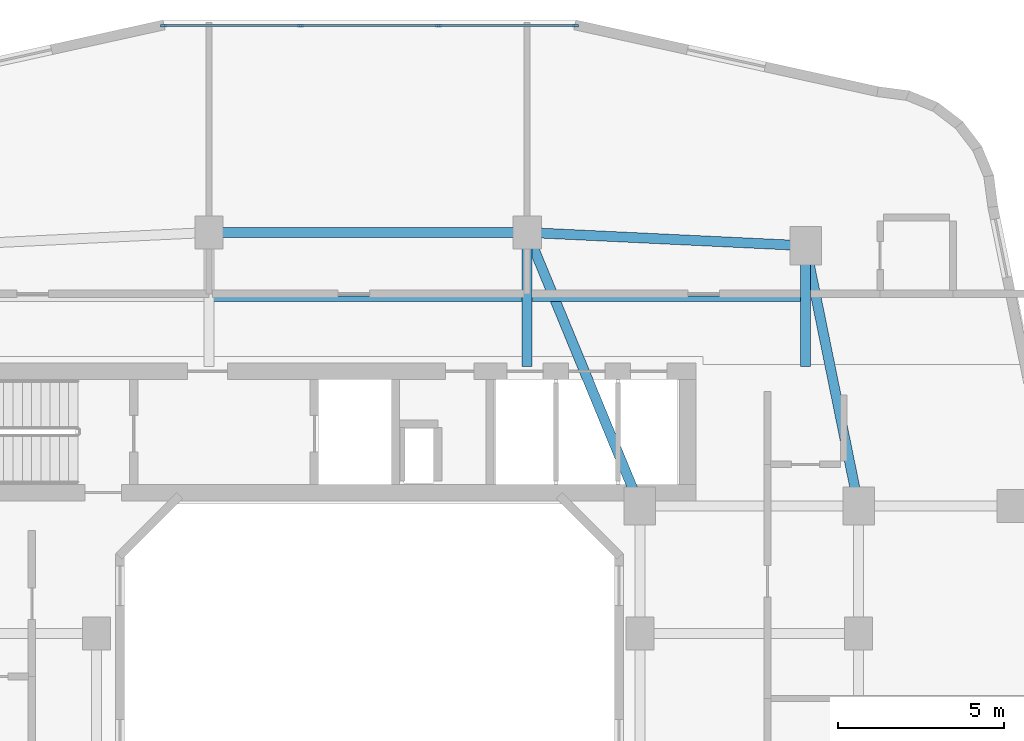
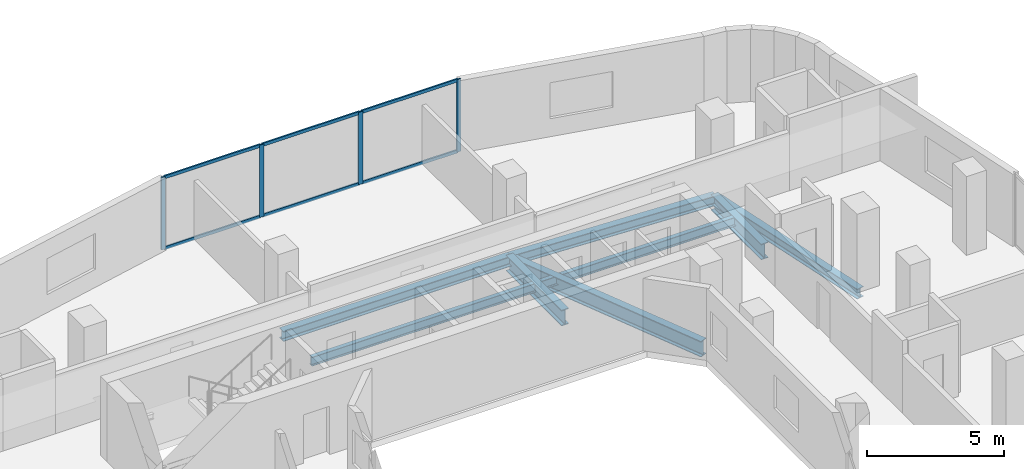
# One storey, part 7 of 25: 10 members, 8 beams, 1 element without a shape of its own.
"""IFC4 building model written with IfcOpenShell, lengths in metres."""

import ifcopenshell
import ifcopenshell.guid

model = None  # the IFC model being written
_history = None  # IfcOwnerHistory: only IFC2X3 demands one
_inside = {}  # id of a spatial element -> (the spatial element, [elements in it])
_under = {}  # id of a project, library or spatial element -> (it, [spatial elements below it])
_declared = {}  # id of a project -> (the project, [libraries it declares])
_typed = {}  # id of a type object -> (the type object, [elements of that type])
_made_of = {}  # id of a material, layer set ... -> (it, [elements and type objects made of it])


def new_model(schema):
    """Start an empty IFC model of exactly this schema.

    Asked for "IFC4X3", IfcOpenShell would pick the latest addendum, in which some entities
    have other attributes; the version numbers below select the first issue.
    IFC2X3 requires an IfcOwnerHistory on every rooted entity: one is made here for all.
    """
    global model, _history
    if schema == "IFC4X3":
        model = ifcopenshell.file(schema_version=(4, 3, 0, 0))
    else:
        model = ifcopenshell.file(schema=schema)
    _inside.clear()
    _under.clear()
    _declared.clear()
    _typed.clear()
    _made_of.clear()
    _history = None
    if model.schema == "IFC2X3":
        org = make("IfcOrganization", Name="unknown")
        user = make(
            "IfcPersonAndOrganization",
            ThePerson=make("IfcPerson", FamilyName="unknown"),
            TheOrganization=org,
        )
        app = make(
            "IfcApplication",
            ApplicationDeveloper=org,
            Version="unknown",
            ApplicationFullName="unknown",
            ApplicationIdentifier="unknown",
        )
        _history = make(
            "IfcOwnerHistory",
            OwningUser=user,
            OwningApplication=app,
            ChangeAction="ADDED",
            CreationDate=0,
        )
    return model


def make(cls, **values):
    """One entity of the class cls with the attributes given. An attribute that is None is left unset."""
    return model.create_entity(
        cls, **{name: value for name, value in values.items() if value is not None}
    )


def rooted(cls, **values):
    """An entity with a GlobalId (a new one), such as an element, a storey or a relation."""
    return make(cls, GlobalId=ifcopenshell.guid.new(), OwnerHistory=_history, **values)


def si_unit(unit_type, name, prefix=None):
    """IfcSIUnit, for example si_unit("LENGTHUNIT", "METRE", prefix="MILLI")."""
    return make("IfcSIUnit", UnitType=unit_type, Prefix=prefix, Name=name)


def derived_unit(unit_type, elements):
    """IfcDerivedUnit: a product of units, each with its exponent."""
    return make(
        "IfcDerivedUnit",
        Elements=[
            make("IfcDerivedUnitElement", Unit=unit, Exponent=power)
            for unit, power in elements
        ],
        UnitType=unit_type,
    )


def assignment(units):
    """IfcUnitAssignment: the units of a project."""
    return None if units is None else make("IfcUnitAssignment", Units=units)


def point(xyz):
    """IfcCartesianPoint."""
    return None if xyz is None else make("IfcCartesianPoint", Coordinates=xyz)


def direction(xyz):
    """IfcDirection."""
    return None if xyz is None else make("IfcDirection", DirectionRatios=xyz)


def frame(location, z_axis=None, x_axis=None):
    """IfcAxis2Placement3D, a coordinate frame: its origin and axes. An axis left out is left unset."""
    return make(
        "IfcAxis2Placement3D",
        Location=point(location),
        Axis=direction(z_axis),
        RefDirection=direction(x_axis),
    )


def frame_2d(location, x_axis=None):
    """IfcAxis2Placement2D, a coordinate frame in the plane: its origin and x axis."""
    return make(
        "IfcAxis2Placement2D", Location=point(location), RefDirection=direction(x_axis)
    )


def origin():
    """The frame at (0, 0, 0) with its axes left unset."""
    return frame((0.0, 0.0, 0.0))


def origin_2d():
    """The frame at (0, 0) in the plane with its x axis left unset."""
    return frame_2d((0.0, 0.0))


def place(relative_to, where):
    """IfcLocalPlacement: puts the frame where relative to a parent placement (None: the world)."""
    return make(
        "IfcLocalPlacement", PlacementRelTo=relative_to, RelativePlacement=where
    )


def context(
    kind, dimensions, precision=None, world=None, true_north=None, identifier=None
):
    """IfcGeometricRepresentationContext, for example the 3D "Model" context."""
    return make(
        "IfcGeometricRepresentationContext",
        ContextIdentifier=identifier,
        ContextType=kind,
        CoordinateSpaceDimension=dimensions,
        Precision=precision,
        WorldCoordinateSystem=world,
        TrueNorth=true_north,
    )


def subcontext(parent, identifier, kind, view, scale=None):
    """IfcGeometricRepresentationSubContext, for example "Body" below "Model"."""
    return make(
        "IfcGeometricRepresentationSubContext",
        ContextIdentifier=identifier,
        ContextType=kind,
        ParentContext=parent,
        TargetScale=scale,
        TargetView=view,
    )


def project(units=None, contexts=None):
    """IfcProject with its units and contexts."""
    return rooted(
        "IfcProject",
        Name="project",
        RepresentationContexts=contexts,
        UnitsInContext=assignment(units),
    )


def spatial(cls, under=None, at=None, **own):
    """A site, building, storey or space (cls), placed at a placement, below another one or the project."""
    s = rooted(cls, ObjectPlacement=at, **own)
    if under is not None:
        _under.setdefault(under.id(), (under, []))[1].append(s)
    return s


def profile(cls, at=None, kind="AREA", **sizes):
    """A parametric profile (cls). Its sizes go by their IFC names, for example OverallWidth=200.0."""
    return make(cls, ProfileType=kind, Position=at, **sizes)


def rectangle(**sizes):
    """IfcRectangleProfileDef."""
    return profile("IfcRectangleProfileDef", **sizes)


def i_section(**sizes):
    """IfcIShapeProfileDef."""
    return profile("IfcIShapeProfileDef", **sizes)


def extrude(swept, where, along, depth):
    """IfcExtrudedAreaSolid: the profile swept, set in the frame where, extruded along a direction by depth."""
    return make(
        "IfcExtrudedAreaSolid",
        SweptArea=swept,
        Position=where,
        ExtrudedDirection=direction(along),
        Depth=depth,
    )


def shape(context_of_items, identifier, shape_type, items):
    """IfcShapeRepresentation: the items that make up one representation, for example the "Body"."""
    return make(
        "IfcShapeRepresentation",
        ContextOfItems=context_of_items,
        RepresentationIdentifier=identifier,
        RepresentationType=shape_type,
        Items=items,
    )


def material(Name=None, Category=None):
    """IfcMaterial."""
    return make("IfcMaterial", Name=Name, Category=Category)


def layer(
    of_material, thickness, ventilated=None, Name=None, Category=None, Priority=None
):
    """IfcMaterialLayer: one layer of a wall or slab, of a material (None: an air gap)."""
    return make(
        "IfcMaterialLayer",
        Material=of_material,
        LayerThickness=thickness,
        IsVentilated=ventilated,
        Name=Name,
        Category=Category,
        Priority=Priority,
    )


def layer_set(layers, Name=None):
    """IfcMaterialLayerSet."""
    return make("IfcMaterialLayerSet", MaterialLayers=layers, LayerSetName=Name)


def material_profile(
    of_material, cross_section, Name=None, Category=None, Priority=None
):
    """IfcMaterialProfile: a cross section and its material."""
    return make(
        "IfcMaterialProfile",
        Name=Name,
        Material=of_material,
        Profile=cross_section,
        Priority=Priority,
        Category=Category,
    )


def profile_set(profiles, Name=None, composite=None):
    """IfcMaterialProfileSet."""
    return make(
        "IfcMaterialProfileSet",
        Name=Name,
        MaterialProfiles=profiles,
        CompositeProfile=composite,
    )


def made_of(thing, what):
    """Note that an element or type object is made of a material, layer set ...; save() writes the relation."""
    if what is not None:
        _made_of.setdefault(what.id(), (what, []))[1].append(thing)
    return thing


def type_object(cls, material=None, **own):
    """A type object (cls), such as IfcWallType, which elements share."""
    return made_of(rooted(cls, **own), material)


def element(
    cls,
    number,
    at=None,
    inside=None,
    cuts=None,
    type_object=None,
    material=None,
    context=None,
    identifier="Body",
    shape_type=None,
    held_by="IfcProductDefinitionShape",
    body=None,
    shapes=None,
    **own,
):
    """One element of the class cls, such as IfcWall. Its Tag is "e" and its number.

    at: its placement. inside: the storey or other place that contains it. cuts: it is an
    opening in that element (IfcRelVoidsElement). A single representation is given by context,
    identifier, shape_type and body (its items); several are given by shapes. held_by: the class
    of the entity that holds the representations. save() writes the other relations.
    """
    e = rooted(cls, Tag="e%d" % number, ObjectPlacement=at, **own)
    if body is not None:
        shapes = [shape(context, identifier, shape_type, body)]
    if shapes is not None:
        e.Representation = make(held_by, Representations=shapes)
    if inside is not None:
        _inside.setdefault(inside.id(), (inside, []))[1].append(e)
    if cuts is not None:
        rooted(
            "IfcRelVoidsElement", RelatingBuildingElement=cuts, RelatedOpeningElement=e
        )
    if type_object is not None:
        _typed.setdefault(type_object.id(), (type_object, []))[1].append(e)
    return made_of(e, material)


def aggregate(whole, parts):
    """IfcRelAggregates: a whole, such as a stair, and the parts it consists of."""
    return rooted("IfcRelAggregates", RelatingObject=whole, RelatedObjects=parts)


def save(model, path):
    """Write the relations noted so far, then the file.

    IfcRelAggregates (storeys below a building ...), IfcRelContainedInSpatialStructure (elements
    in a storey), IfcRelDefinesByType, IfcRelAssociatesMaterial and IfcRelDeclares: one each for
    every whole, place, type object, material and project.
    """
    for whole, parts in _under.values():
        aggregate(whole, parts)
    for where, things in _inside.values():
        rooted(
            "IfcRelContainedInSpatialStructure",
            RelatedElements=things,
            RelatingStructure=where,
        )
    for kind, things in _typed.values():
        rooted("IfcRelDefinesByType", RelatedObjects=things, RelatingType=kind)
    for what, things in _made_of.values():
        rooted("IfcRelAssociatesMaterial", RelatedObjects=things, RelatingMaterial=what)
    for by, libraries in _declared.values():
        rooted("IfcRelDeclares", RelatingContext=by, RelatedDefinitions=libraries)
    model.write(path)


model = new_model("IFC4")

# Units and contexts
model_context = context("Model", 3, precision=1e-05, world=origin(), true_north=direction((0.0, 1.0)))
body_context = subcontext(model_context, "Body", "Model", "MODEL_VIEW")
ifc_project = project(units=[si_unit("LENGTHUNIT", "METRE"), si_unit("AREAUNIT", "SQUARE_METRE"), si_unit("VOLUMEUNIT", "CUBIC_METRE"), si_unit("PLANEANGLEUNIT", "RADIAN"), si_unit("MASSUNIT", "GRAM", prefix="KILO"), derived_unit("THERMALTRANSMITTANCEUNIT", [(si_unit("POWERUNIT", "WATT"), 1), (si_unit("LENGTHUNIT", "METRE"), -2), (si_unit("THERMODYNAMICTEMPERATUREUNIT", "KELVIN"), -1)])], contexts=[model_context])

# Site, building, storey
site_placement = place(None, origin())
site = spatial("IfcSite", under=ifc_project, at=site_placement, CompositionType="ELEMENT")
building_placement = place(site_placement, origin())
building = spatial("IfcBuilding", under=site, at=building_placement, Name="Kivonza Crest Hotel", CompositionType="ELEMENT")
storey_placement = place(building_placement, frame((0.0, 0.0, 83.5)))
storey = spatial("IfcBuildingStorey", under=building, at=storey_placement, Name="L22", CompositionType="ELEMENT", Elevation=83.5)

# Beams
ifc_material_1 = material(Name="Steel S355", Category="steel")
ifc_material_profile_1 = material_profile(ifc_material_1, i_section(OverallWidth=0.300048828125, OverallDepth=0.449951171875, WebThickness=0.013916015625, FlangeThickness=0.02587890625, FilletRadius=0.027099609375, at=origin_2d()), Name="HEB 450")
ifc_profile_set_1 = profile_set([ifc_material_profile_1], Name="Steel S355")
beam_type_1 = type_object("IfcBeamType", Name="BM-HEB450", PredefinedType="SPANDREL", material=ifc_profile_set_1)
beam_1_placement = place(storey_placement, frame((35.800048828125, 32.35009765625, -0.5048828125), z_axis=(-0.199730733965, 0.979850822273, 0.0), x_axis=(-0.979850822273, -0.199730733965, 0.0)))
element("IfcBeam", 1, at=beam_1_placement, inside=storey, type_object=beam_type_1, Name="Tower T1 L22 perimeter spandrel PNE-NE", PredefinedType="SPANDREL", context=body_context, shape_type="SweptSolid", body=[
    extrude(i_section(OverallWidth=0.300048828125, OverallDepth=0.449951171875, WebThickness=0.013916015625, FlangeThickness=0.02587890625, FilletRadius=0.027099609375, at=origin_2d()), origin(), (0.0, 0.0, 1.0), 8.01123046875),
])
beam_2_placement = place(storey_placement, frame((34.199951171875, 40.199951171875, -0.5048828125), z_axis=(-0.998867283688, 0.047583080799, 0.0), x_axis=(-0.047583080799, -0.998867283688, 0.0)))
element("IfcBeam", 2, at=beam_2_placement, inside=storey, type_object=beam_type_1, Name="Tower T1 L22 perimeter spandrel NE-N2", PredefinedType="SPANDREL", context=body_context, shape_type="SweptSolid", body=[
    extrude(i_section(OverallWidth=0.300048828125, OverallDepth=0.449951171875, WebThickness=0.013916015625, FlangeThickness=0.02587890625, FilletRadius=0.027099609375, at=origin_2d()), origin(), (0.0, 0.0, 1.0), 8.409423828125),
])
beam_3_placement = place(storey_placement, frame((25.800048828125, 40.60009765625, -0.5048828125), z_axis=(-1.0, 0.0, 0.0), x_axis=(0.0, -1.0, 0.0)))
element("IfcBeam", 3, at=beam_3_placement, inside=storey, type_object=beam_type_1, Name="Tower T1 L22 perimeter spandrel N2-N1", PredefinedType="SPANDREL", context=body_context, shape_type="SweptSolid", body=[
    extrude(i_section(OverallWidth=0.300048828125, OverallDepth=0.449951171875, WebThickness=0.013916015625, FlangeThickness=0.02587890625, FilletRadius=0.027099609375, at=origin_2d()), origin(), (0.0, 0.0, 1.0), 9.60009765625),
])
ifc_material_profile_2 = material_profile(ifc_material_1, i_section(OverallWidth=0.300048828125, OverallDepth=0.699951171875, WebThickness=0.01708984375, FlangeThickness=0.031982421875, FilletRadius=0.027099609375, at=origin_2d()), Name="HEB 700")
ifc_profile_set_2 = profile_set([ifc_material_profile_2], Name="Steel S355")
beam_type_2 = type_object("IfcBeamType", Name="BM-HEB700", PredefinedType="BEAM", material=ifc_profile_set_2)
beam_4_placement = place(storey_placement, frame((25.800048828125, 40.60009765625, -0.6298828125), z_axis=(0.381022260404, -0.924565864109, 0.0), x_axis=(0.924565864109, 0.381022260404, 0.0)))
element("IfcBeam", 4, at=beam_4_placement, inside=storey, type_object=beam_type_2, Name="Tower T1 L22 primary girder N1-TNE", PredefinedType="BEAM", context=body_context, shape_type="SweptSolid", body=[
    extrude(i_section(OverallWidth=0.300048828125, OverallDepth=0.699951171875, WebThickness=0.01708984375, FlangeThickness=0.031982421875, FilletRadius=0.027099609375, at=origin_2d()), origin(), (0.0, 0.0, 1.0), 8.923095703125),
])
beam_5_placement = place(storey_placement, frame((25.800048828125, 40.60009765625, -0.6298828125), z_axis=(0.0, -1.0, 0.0), x_axis=(1.0, 0.0, 0.0)))
element("IfcBeam", 5, at=beam_5_placement, inside=storey, type_object=beam_type_2, Name="Tower T1 L22 radial core girder RN2", PredefinedType="BEAM", context=body_context, shape_type="SweptSolid", body=[
    extrude(i_section(OverallWidth=0.300048828125, OverallDepth=0.699951171875, WebThickness=0.01708984375, FlangeThickness=0.031982421875, FilletRadius=0.027099609375, at=origin_2d()), origin(), (0.0, 0.0, 1.0), 4.050048828125),
])
beam_6_placement = place(storey_placement, frame((34.199951171875, 40.199951171875, -0.6298828125), z_axis=(0.0, -1.0, 0.0), x_axis=(1.0, 0.0, 0.0)))
element("IfcBeam", 6, at=beam_6_placement, inside=storey, type_object=beam_type_2, Name="Tower T1 L22 radial core girder RNE", PredefinedType="BEAM", context=body_context, shape_type="SweptSolid", body=[
    extrude(i_section(OverallWidth=0.300048828125, OverallDepth=0.699951171875, WebThickness=0.01708984375, FlangeThickness=0.031982421875, FilletRadius=0.027099609375, at=origin_2d()), origin(), (0.0, 0.0, 1.0), 3.64990234375),
])
ifc_material_profile_3 = material_profile(ifc_material_1, i_section(OverallWidth=0.179931640625, OverallDepth=0.39990234375, WebThickness=0.008544921875, FlangeThickness=0.013427734375, FilletRadius=0.02099609375, at=origin_2d()), Name="IPE 400")
ifc_profile_set_3 = profile_set([ifc_material_profile_3], Name="Steel S355")
beam_type_3 = type_object("IfcBeamType", Name="BM-IPE400", PredefinedType="JOIST", material=ifc_profile_set_3)
beam_7_placement = place(storey_placement, frame((16.280029296875, 38.60009765625, -0.47998046875), z_axis=(1.0, 0.0, 0.0), x_axis=(0.0, 1.0, 0.0)))
element("IfcBeam", 7, at=beam_7_placement, inside=storey, type_object=beam_type_3, Name="Tower T1 L22 North-Mid floor joist", PredefinedType="JOIST", context=body_context, shape_type="SweptSolid", body=[
    extrude(i_section(OverallWidth=0.179931640625, OverallDepth=0.39990234375, WebThickness=0.008544921875, FlangeThickness=0.013427734375, FilletRadius=0.02099609375, at=origin_2d()), origin(), (0.0, 0.0, 1.0), 9.43994140625),
])
beam_8_placement = place(storey_placement, frame((25.8798828125, 38.60009765625, -0.47998046875), z_axis=(1.0, 0.0, 0.0), x_axis=(0.0, 1.0, 0.0)))
element("IfcBeam", 8, at=beam_8_placement, inside=storey, type_object=beam_type_3, Name="Tower T1 L22 North-East floor joist", PredefinedType="JOIST", context=body_context, shape_type="SweptSolid", body=[
    extrude(i_section(OverallWidth=0.179931640625, OverallDepth=0.39990234375, WebThickness=0.008544921875, FlangeThickness=0.013427734375, FilletRadius=0.02099609375, at=origin_2d()), origin(), (0.0, 0.0, 1.0), 8.240234375),
])

# Curtain wall, members
ifc_material_2 = material(Name="Anodised bronze aluminium and low-E double glazing", Category="aluminium")
ifc_layer = layer(ifc_material_2, 0.179931640625)
ifc_layer_set = layer_set([ifc_layer], Name="Anodised bronze aluminium and low-E double glazing")
curtain_wall_type = type_object("IfcCurtainWallType", Name="CW-SYS-2", PredefinedType="NOTDEFINED", material=ifc_layer_set)
curtain_wall_placement = place(storey_placement, origin())
curtain_wall = element("IfcCurtainWall", 9, at=curtain_wall_placement, inside=storey, type_object=curtain_wall_type, Name="L22 unitised curtain wall CW-T1-L22-26", PredefinedType="NOTDEFINED")
ifc_material_3 = material(Name="Anodised bronze aluminium", Category="aluminium")
ifc_material_profile_4 = material_profile(ifc_material_3, rectangle(XDim=0.06494140625, YDim=0.179931640625, at=origin_2d()), Name="CW-M 65x180")
ifc_profile_set_4 = profile_set([ifc_material_profile_4], Name="Anodised bronze aluminium")
member_type_1 = type_object("IfcMemberType", Name="CW-MUL-65x180", PredefinedType="MULLION", material=ifc_profile_set_4)
member_1_placement = place(storey_placement, frame((27.255615234375, 46.840087890625, 0.0), z_axis=(0.0, 0.0, 1.0), x_axis=(0.0, -1.0, 0.0)))
member_1 = element("IfcMember", 10, at=member_1_placement, type_object=member_type_1, Name="CW-2 mullion 1", PredefinedType="MULLION", context=body_context, shape_type="SweptSolid", body=[
    extrude(rectangle(XDim=0.06494140625, YDim=0.179931640625, at=origin_2d()), origin(), (0.0, 0.0, 1.0), 3.219970703125),
])
member_2_placement = place(storey_placement, frame((23.12255859375, 46.840087890625, 0.0), z_axis=(0.0, 0.0, 1.0), x_axis=(0.0, -1.0, 0.0)))
member_2 = element("IfcMember", 11, at=member_2_placement, type_object=member_type_1, Name="CW-2 mullion 2", PredefinedType="MULLION", context=body_context, shape_type="SweptSolid", body=[
    extrude(rectangle(XDim=0.06494140625, YDim=0.179931640625, at=origin_2d()), origin(), (0.0, 0.0, 1.0), 3.219970703125),
])
member_3_placement = place(storey_placement, frame((18.957275390625, 46.840087890625, 0.0), z_axis=(0.0, 0.0, 1.0), x_axis=(0.0, -1.0, 0.0)))
member_3 = element("IfcMember", 12, at=member_3_placement, type_object=member_type_1, Name="CW-2 mullion 3", PredefinedType="MULLION", context=body_context, shape_type="SweptSolid", body=[
    extrude(rectangle(XDim=0.06494140625, YDim=0.179931640625, at=origin_2d()), origin(), (0.0, 0.0, 1.0), 3.219970703125),
])
member_4_placement = place(storey_placement, frame((14.824462890625, 46.840087890625, 0.0), z_axis=(0.0, 0.0, 1.0), x_axis=(0.0, -1.0, 0.0)))
member_4 = element("IfcMember", 13, at=member_4_placement, type_object=member_type_1, Name="CW-2 mullion 4", PredefinedType="MULLION", context=body_context, shape_type="SweptSolid", body=[
    extrude(rectangle(XDim=0.06494140625, YDim=0.179931640625, at=origin_2d()), origin(), (0.0, 0.0, 1.0), 3.219970703125),
])
ifc_material_profile_5 = material_profile(ifc_material_3, rectangle(XDim=0.06494140625, YDim=0.139892578125, at=origin_2d()), Name="CW-T 65x140")
ifc_profile_set_5 = profile_set([ifc_material_profile_5], Name="Anodised bronze aluminium")
member_type_2 = type_object("IfcMemberType", Name="CW-TRN-65x140", PredefinedType="USERDEFINED", material=ifc_profile_set_5)
member_5_placement = place(storey_placement, frame((27.222900390625, 46.840087890625, 0.032470703125), z_axis=(-1.0, 0.0, 0.0), x_axis=(0.0, -1.0, 0.0)))
member_5 = element("IfcMember", 14, at=member_5_placement, type_object=member_type_2, Name="CW-2 transom 1.1", ObjectType="TRANSOM", PredefinedType="USERDEFINED", context=body_context, shape_type="SweptSolid", body=[
    extrude(rectangle(XDim=0.06494140625, YDim=0.139892578125, at=origin_2d()), origin(), (0.0, 0.0, 1.0), 4.067626953125),
])
member_6_placement = place(storey_placement, frame((27.222900390625, 46.840087890625, 3.1875), z_axis=(-1.0, 0.0, 0.0), x_axis=(0.0, -1.0, 0.0)))
member_6 = element("IfcMember", 15, at=member_6_placement, type_object=member_type_2, Name="CW-2 transom 1.2", ObjectType="TRANSOM", PredefinedType="USERDEFINED", context=body_context, shape_type="SweptSolid", body=[
    extrude(rectangle(XDim=0.06494140625, YDim=0.139892578125, at=origin_2d()), origin(), (0.0, 0.0, 1.0), 4.067626953125),
])
member_7_placement = place(storey_placement, frame((23.090087890625, 46.840087890625, 0.032470703125), z_axis=(-1.0, 0.0, 0.0), x_axis=(0.0, -1.0, 0.0)))
member_7 = element("IfcMember", 16, at=member_7_placement, type_object=member_type_2, Name="CW-2 transom 2.1", ObjectType="TRANSOM", PredefinedType="USERDEFINED", context=body_context, shape_type="SweptSolid", body=[
    extrude(rectangle(XDim=0.06494140625, YDim=0.139892578125, at=origin_2d()), origin(), (0.0, 0.0, 1.0), 4.100341796875),
])
member_8_placement = place(storey_placement, frame((23.090087890625, 46.840087890625, 3.1875), z_axis=(-1.0, 0.0, 0.0), x_axis=(0.0, -1.0, 0.0)))
member_8 = element("IfcMember", 17, at=member_8_placement, type_object=member_type_2, Name="CW-2 transom 2.2", ObjectType="TRANSOM", PredefinedType="USERDEFINED", context=body_context, shape_type="SweptSolid", body=[
    extrude(rectangle(XDim=0.06494140625, YDim=0.139892578125, at=origin_2d()), origin(), (0.0, 0.0, 1.0), 4.100341796875),
])
member_9_placement = place(storey_placement, frame((18.9248046875, 46.840087890625, 0.032470703125), z_axis=(-1.0, 0.0, 0.0), x_axis=(0.0, -1.0, 0.0)))
member_9 = element("IfcMember", 18, at=member_9_placement, type_object=member_type_2, Name="CW-2 transom 3.1", ObjectType="TRANSOM", PredefinedType="USERDEFINED", context=body_context, shape_type="SweptSolid", body=[
    extrude(rectangle(XDim=0.06494140625, YDim=0.139892578125, at=origin_2d()), origin(), (0.0, 0.0, 1.0), 4.06787109375),
])
member_10_placement = place(storey_placement, frame((18.9248046875, 46.840087890625, 3.1875), z_axis=(-1.0, 0.0, 0.0), x_axis=(0.0, -1.0, 0.0)))
member_10 = element("IfcMember", 19, at=member_10_placement, type_object=member_type_2, Name="CW-2 transom 3.2", ObjectType="TRANSOM", PredefinedType="USERDEFINED", context=body_context, shape_type="SweptSolid", body=[
    extrude(rectangle(XDim=0.06494140625, YDim=0.139892578125, at=origin_2d()), origin(), (0.0, 0.0, 1.0), 4.06787109375),
])
aggregate(curtain_wall, [member_1, member_2, member_3, member_4, member_5, member_6, member_7, member_8, member_9, member_10])

save(model, "model.ifc")
